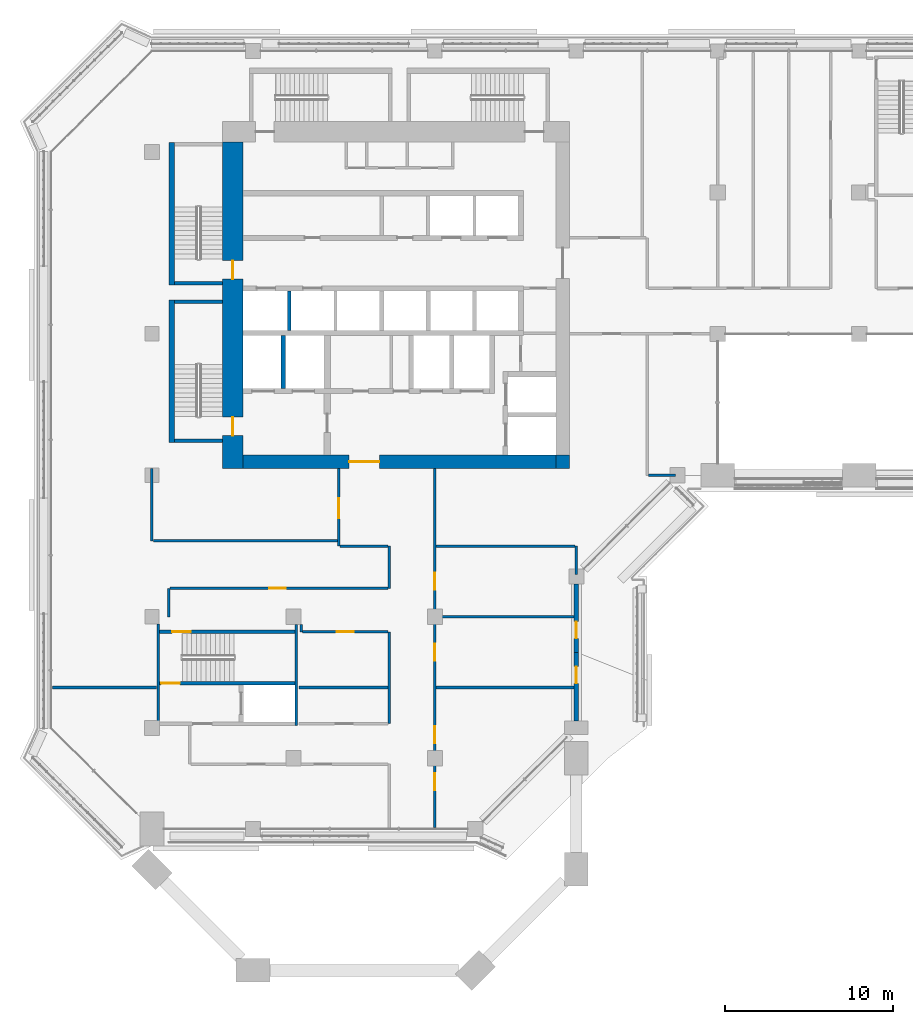
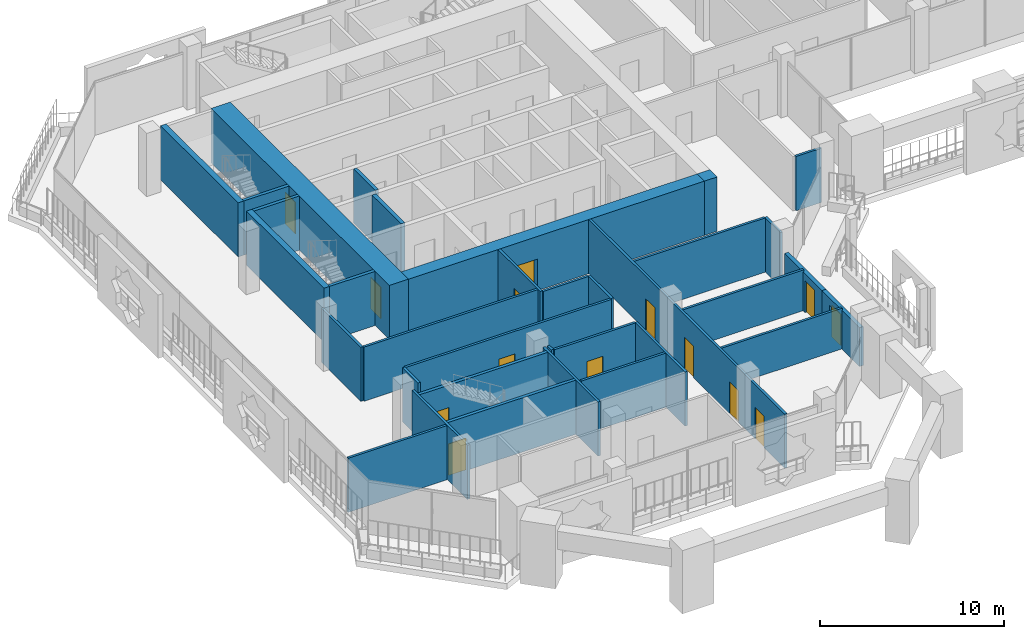
# One storey, part 12 of 23: 34 walls, 14 doors, 14 openings.
"""IFC4 building model written with IfcOpenShell, lengths in metres."""

from ifc_helpers import new_model, si_unit, direction, frame, frame_2d, origin, place, context, subcontext, project, spatial, rectangle, extrude, material, layer, layer_set, type_object, element, fill, save


model = new_model("IFC4")

# Units and contexts
model_context = context("Model", 3, precision=1e-05, world=origin(), true_north=direction((0.0, 1.0)))
body_context = subcontext(model_context, "Body", "Model", "MODEL_VIEW")
ifc_project = project(units=[si_unit("LENGTHUNIT", "METRE"), si_unit("AREAUNIT", "SQUARE_METRE"), si_unit("VOLUMEUNIT", "CUBIC_METRE"), si_unit("PLANEANGLEUNIT", "RADIAN"), si_unit("MASSUNIT", "GRAM", prefix="KILO")], contexts=[model_context])

# Site, building, storey
site_placement = place(None, origin())
site = spatial("IfcSite", under=ifc_project, at=site_placement, CompositionType="ELEMENT")
building_placement = place(site_placement, origin())
building = spatial("IfcBuilding", under=site, at=building_placement, Name="Kawkab Arch Medical Tower", CompositionType="ELEMENT")
storey_placement = place(building_placement, frame((0.0, 0.0, 222.199951171875)))
storey = spatial("IfcBuildingStorey", under=building, at=storey_placement, Name="L51", CompositionType="ELEMENT", Elevation=222.199951171875)

# Wall, openings, doors
ifc_material_1 = material(Name="Concrete C50/60", Category="concrete")
ifc_layer_1 = layer(ifc_material_1, 1.199951171875)
ifc_layer_set_1 = layer_set([ifc_layer_1], Name="Concrete C50/60")
wall_type_1 = type_object("IfcWallType", Name="Core ring wall 1200 C50/60", PredefinedType="SHEAR", material=ifc_layer_set_1)
wall_1_placement = place(storey_placement, frame((4.800048828125, -24.800048828125, 0.0), z_axis=(0.0, 0.0, 1.0), x_axis=(0.0, 1.0, 0.0)))
wall_1 = element("IfcWall", 1, at=wall_1_placement, inside=storey, type_object=wall_type_1, Name="L51 core wall", PredefinedType="SHEAR", context=body_context, shape_type="SweptSolid", body=[
    extrude(rectangle(XDim=19.400146484375, YDim=1.199951171875, at=frame_2d((9.7001953125, 0.0))), origin(), (0.0, 0.0, 1.0), 3.60009765625),
])
opening_1_placement = place(wall_1_placement, frame((11.25, 0.0, 0.0)))
opening_1 = element("IfcOpeningElement", 2, at=opening_1_placement, cuts=wall_1, Name="Opening SD", PredefinedType="OPENING", context=body_context, shape_type="SweptSolid", body=[
    extrude(rectangle(XDim=1.10009765625, YDim=2.10009765625, at=frame_2d((0.550048828125, 1.050048828125))), frame((0.0, 0.60986328125, 0.0), z_axis=(0.0, -1.0, 0.0), x_axis=(1.0, 0.0, 0.0)), (0.0, 0.0, 1.0), 1.219970703125),
])
opening_2_placement = place(wall_1_placement, frame((1.949951171875, 0.0, 0.0)))
opening_2 = element("IfcOpeningElement", 3, at=opening_2_placement, cuts=wall_1, Name="Opening SD", PredefinedType="OPENING", context=body_context, shape_type="SweptSolid", body=[
    extrude(rectangle(XDim=1.10009765625, YDim=2.10009765625, at=frame_2d((0.550048828125, 1.050048828125))), frame((0.0, 0.60986328125, 0.0), z_axis=(0.0, -1.0, 0.0), x_axis=(1.0, 0.0, 0.0)), (0.0, 0.0, 1.0), 1.219970703125),
])
ifc_material_2 = material(Name="Hollow metal fire door leaf")
door_type_1 = type_object("IfcDoorType", Name="Exit stair door 1100", OperationType="SINGLE_SWING_LEFT", PredefinedType="DOOR", material=ifc_material_2)
door_1_placement = place(opening_1_placement, origin())
door_1 = element("IfcDoor", 4, at=door_1_placement, inside=storey, type_object=door_type_1, Name="L51 Exit stair ST1 door", OperationType="SINGLE_SWING_LEFT", OverallHeight=2.10009765625, OverallWidth=1.10009765625, PredefinedType="DOOR", context=body_context, shape_type="SweptSolid", body=[
    extrude(rectangle(XDim=1.10009765625, YDim=2.10009765625, at=frame_2d((0.550048828125, 1.050048828125))), frame((0.0, 0.02490234375, 0.0), z_axis=(0.0, -1.0, 0.0), x_axis=(1.0, 0.0, 0.0)), (0.0, 0.0, 1.0), 0.050048828125),
])
fill(opening_1, door_1)
door_2_placement = place(opening_2_placement, origin())
door_2 = element("IfcDoor", 5, at=door_2_placement, inside=storey, type_object=door_type_1, Name="L51 Exit stair ST2 door", OperationType="SINGLE_SWING_LEFT", OverallHeight=2.10009765625, OverallWidth=1.10009765625, PredefinedType="DOOR", context=body_context, shape_type="SweptSolid", body=[
    extrude(rectangle(XDim=1.10009765625, YDim=2.10009765625, at=frame_2d((0.550048828125, 1.050048828125))), frame((0.0, 0.02490234375, 0.0), z_axis=(0.0, -1.0, 0.0), x_axis=(1.0, 0.0, 0.0)), (0.0, 0.0, 1.0), 0.050048828125),
])
fill(opening_2, door_2)

# Wall, opening, door
ifc_material_3 = material(Name="Concrete C50/60", Category="concrete")
ifc_layer_2 = layer(ifc_material_3, 0.800048828125)
ifc_layer_set_2 = layer_set([ifc_layer_2], Name="Concrete C50/60")
wall_type_2 = type_object("IfcWallType", Name="Core ring wall 800 C50/60", PredefinedType="SHEAR", material=ifc_layer_set_2)
wall_2_placement = place(storey_placement, frame((5.39990234375, -24.39990234375, 0.0), z_axis=(0.0, 0.0, 1.0), x_axis=(1.0, 0.0, 0.0)))
wall_2 = element("IfcWall", 6, at=wall_2_placement, inside=storey, type_object=wall_type_2, Name="L51 core wall", PredefinedType="SHEAR", context=body_context, shape_type="SweptSolid", body=[
    extrude(rectangle(XDim=18.60009765625, YDim=0.800048828125, at=frame_2d((9.300048828125, 0.0))), origin(), (0.0, 0.0, 1.0), 3.60009765625),
])
opening_3_placement = place(wall_2_placement, frame((6.300048828125, 0.0, 0.0)))
opening_3 = element("IfcOpeningElement", 7, at=opening_3_placement, cuts=wall_2, Name="Opening PD", PredefinedType="OPENING", context=body_context, shape_type="SweptSolid", body=[
    extrude(rectangle(XDim=1.800048828125, YDim=2.10009765625, at=frame_2d((0.89990234375, 1.050048828125))), frame((0.0, 0.409912109375, 0.0), z_axis=(0.0, -1.0, 0.0), x_axis=(1.0, 0.0, 0.0)), (0.0, 0.0, 1.0), 0.820068359375),
])
ifc_material_4 = material(Name="Hollow metal fire door leaf")
door_type_2 = type_object("IfcDoorType", Name="Core entrance doors 1800", OperationType="DOUBLE_DOOR_SINGLE_SWING", PredefinedType="DOOR", material=ifc_material_4)
door_3_placement = place(opening_3_placement, origin())
door_3 = element("IfcDoor", 8, at=door_3_placement, inside=storey, type_object=door_type_2, Name="L51 South entrance doors", OperationType="DOUBLE_DOOR_SINGLE_SWING", OverallHeight=2.10009765625, OverallWidth=1.800048828125, PredefinedType="DOOR", context=body_context, shape_type="SweptSolid", body=[
    extrude(rectangle(XDim=1.800048828125, YDim=2.10009765625, at=frame_2d((0.89990234375, 1.050048828125))), frame((0.0, 0.02490234375, 0.0), z_axis=(0.0, -1.0, 0.0), x_axis=(1.0, 0.0, 0.0)), (0.0, 0.0, 1.0), 0.050048828125),
])
fill(opening_3, door_3)

# Walls
wall_3_placement = place(storey_placement, frame((24.39990234375, -24.800048828125, 0.0), z_axis=(0.0, 0.0, 1.0), x_axis=(0.0, 1.0, 0.0)))
element("IfcWall", 9, at=wall_3_placement, inside=storey, type_object=wall_type_2, Name="L51 core wall", PredefinedType="SHEAR", context=body_context, shape_type="SweptSolid", body=[
    extrude(rectangle(XDim=0.800048828125, YDim=0.800048828125, at=frame_2d((0.39990234375, 0.0))), origin(), (0.0, 0.0, 1.0), 3.60009765625),
])
ifc_material_5 = material(Name="Concrete C60/75", Category="concrete")
ifc_layer_3 = layer(ifc_material_5, 0.25)
ifc_layer_set_3 = layer_set([ifc_layer_3], Name="Concrete C60/75")
wall_type_3 = type_object("IfcWallType", Name="Core shear wall 250 C60/75", PredefinedType="SHEAR", material=ifc_layer_set_3)
wall_4_placement = place(storey_placement, frame((7.800048828125, -20.050048828125, 0.0), z_axis=(0.0, 0.0, 1.0), x_axis=(0.0, 1.0, 0.0)))
element("IfcWall", 10, at=wall_4_placement, inside=storey, type_object=wall_type_3, Name="L51 core shear wall", PredefinedType="SHEAR", context=body_context, shape_type="SweptSolid", body=[
    extrude(rectangle(XDim=3.150146484375, YDim=0.25, at=frame_2d((1.5751953125, 0.0))), origin(), (0.0, 0.0, 1.0), 3.60009765625),
])

# Wall, opening, door
ifc_material_6 = material(Name="Bronze clad insulated wall panel")
ifc_layer_4 = layer(ifc_material_6, 0.25)
ifc_layer_set_4 = layer_set([ifc_layer_4], Name="Bronze clad insulated wall panel")
wall_type_4 = type_object("IfcWallType", Name="External wall bay 250", PredefinedType="SOLIDWALL", material=ifc_layer_set_4)
wall_5_placement = place(storey_placement, frame((25.199951171875, -39.800048828125, 0.0), z_axis=(0.0, 0.0, 1.0), x_axis=(0.0, 1.0, 0.0)))
wall_5 = element("IfcWall", 11, at=wall_5_placement, inside=storey, type_object=wall_type_4, Name="External wall bay L51.R15.1.1", PredefinedType="SOLIDWALL", context=body_context, shape_type="SweptSolid", body=[
    extrude(rectangle(XDim=4.074951171875, YDim=0.25, at=frame_2d((2.03759765625, 0.0))), origin(), (0.0, 0.0, 1.0), 2.580078125),
])
opening_4_placement = place(wall_5_placement, frame((2.237548828125, 0.0, 0.0)))
opening_4 = element("IfcOpeningElement", 12, at=opening_4_placement, cuts=wall_5, Name="Opening B51-701", PredefinedType="OPENING", context=body_context, shape_type="SweptSolid", body=[
    extrude(rectangle(XDim=1.0, YDim=2.10009765625, at=frame_2d((0.5, 1.050048828125))), frame((0.0, 0.135009765625, 0.0), z_axis=(0.0, -1.0, 0.0), x_axis=(1.0, 0.0, 0.0)), (0.0, 0.0, 1.0), 0.27001953125),
])
ifc_material_7 = material(Name="Bronze anodised aluminium door with tinted glass", Category="aluminium")
door_type_3 = type_object("IfcDoorType", Name="Single external door 1000 x 2100", OperationType="SINGLE_SWING_LEFT", PredefinedType="DOOR", material=ifc_material_7)
door_4_placement = place(opening_4_placement, origin())
door_4 = element("IfcDoor", 13, at=door_4_placement, inside=storey, type_object=door_type_3, Name="External door L51.R15.1.1", OperationType="SINGLE_SWING_LEFT", OverallHeight=2.10009765625, OverallWidth=1.0, PredefinedType="DOOR", context=body_context, shape_type="SweptSolid", body=[
    extrude(rectangle(XDim=1.0, YDim=2.10009765625, at=frame_2d((0.5, 1.050048828125))), frame((0.0, 0.02490234375, 0.0), z_axis=(0.0, -1.0, 0.0), x_axis=(1.0, 0.0, 0.0)), (0.0, 0.0, 1.0), 0.050048828125),
])
fill(opening_4, door_4)

wall_6_placement = place(storey_placement, frame((25.199951171875, -35.72509765625, 0.0), z_axis=(0.0, 0.0, 1.0), x_axis=(0.0, 1.0, 0.0)))
wall_6 = element("IfcWall", 14, at=wall_6_placement, inside=storey, type_object=wall_type_4, Name="External wall bay L51.R15.1.2", PredefinedType="SOLIDWALL", context=body_context, shape_type="SweptSolid", body=[
    extrude(rectangle(XDim=4.0751953125, YDim=0.25, at=frame_2d((2.03759765625, 0.0))), origin(), (0.0, 0.0, 1.0), 2.580078125),
])
opening_5_placement = place(wall_6_placement, frame((0.83740234375, 0.0, 0.0)))
opening_5 = element("IfcOpeningElement", 15, at=opening_5_placement, cuts=wall_6, Name="Opening B51-701", PredefinedType="OPENING", context=body_context, shape_type="SweptSolid", body=[
    extrude(rectangle(XDim=1.0, YDim=2.10009765625, at=frame_2d((0.5, 1.050048828125))), frame((0.0, 0.135009765625, 0.0), z_axis=(0.0, -1.0, 0.0), x_axis=(1.0, 0.0, 0.0)), (0.0, 0.0, 1.0), 0.27001953125),
])
door_5_placement = place(opening_5_placement, origin())
door_5 = element("IfcDoor", 16, at=door_5_placement, inside=storey, type_object=door_type_3, Name="External door L51.R15.1.2", OperationType="SINGLE_SWING_LEFT", OverallHeight=2.10009765625, OverallWidth=1.0, PredefinedType="DOOR", context=body_context, shape_type="SweptSolid", body=[
    extrude(rectangle(XDim=1.0, YDim=2.10009765625, at=frame_2d((0.5, 1.050048828125))), frame((0.0, 0.02490234375, 0.0), z_axis=(0.0, -1.0, 0.0), x_axis=(1.0, 0.0, 0.0)), (0.0, 0.0, 1.0), 0.050048828125),
])
fill(opening_5, door_5)

# Walls
ifc_material_8 = material(Name="Dense concrete blockwork", Category="masonry")
ifc_layer_5 = layer(ifc_material_8, 0.199951171875)
ifc_layer_set_5 = layer_set([ifc_layer_5], Name="Dense concrete blockwork")
wall_type_5 = type_object("IfcWallType", Name="Lift shaft partition 200", PredefinedType="PARTITIONING", material=ifc_layer_set_5)
wall_7_placement = place(storey_placement, frame((8.14990234375, -16.60009765625, 0.0), z_axis=(0.0, 0.0, 1.0), x_axis=(0.0, 1.0, 0.0)))
element("IfcWall", 17, at=wall_7_placement, inside=storey, type_object=wall_type_5, Name="L51 lift shaft partition", PredefinedType="PARTITIONING", context=body_context, shape_type="SweptSolid", body=[
    extrude(rectangle(XDim=2.35009765625, YDim=0.199951171875, at=frame_2d((1.175048828125, 0.0))), origin(), (0.0, 0.0, 1.0), 3.60009765625),
])
ifc_material_9 = material(Name="Gypsum board partition on steel studs, mineral wool", Category="steel")
ifc_layer_6 = layer(ifc_material_9, 0.14990234375)
ifc_layer_set_6 = layer_set([ifc_layer_6], Name="Gypsum board partition on steel studs, mineral wool")
wall_type_6 = type_object("IfcWallType", Name="Partition 150", PredefinedType="PARTITIONING", material=ifc_layer_set_6)
wall_8_placement = place(storey_placement, frame((-5.919921875, -37.800048828125, 0.0), z_axis=(0.0, 0.0, 1.0), x_axis=(1.0, 0.0, 0.0)))
element("IfcWall", 18, at=wall_8_placement, inside=storey, type_object=wall_type_6, Name="Partition 150 w003", PredefinedType="PARTITIONING", context=body_context, shape_type="SweptSolid", body=[
    extrude(rectangle(XDim=6.18994140625, YDim=0.14990234375, at=frame_2d((3.094970703125, 0.0))), origin(), (0.0, 0.0, 1.0), 3.60009765625),
])
wall_9_placement = place(storey_placement, frame((8.72998046875, -37.800048828125, 0.0), z_axis=(0.0, 0.0, 1.0), x_axis=(1.0, 0.0, 0.0)))
element("IfcWall", 19, at=wall_9_placement, inside=storey, type_object=wall_type_6, Name="Partition 150 w004", PredefinedType="PARTITIONING", context=body_context, shape_type="SweptSolid", body=[
    extrude(rectangle(XDim=5.294921875, YDim=0.14990234375, at=frame_2d((2.6474609375, 0.0))), origin(), (0.0, 0.0, 1.0), 3.60009765625),
])
wall_10_placement = place(storey_placement, frame((16.875, -37.800048828125, 0.0), z_axis=(0.0, 0.0, 1.0), x_axis=(1.0, 0.0, 0.0)))
element("IfcWall", 20, at=wall_10_placement, inside=storey, type_object=wall_type_6, Name="Partition 150 w005", PredefinedType="PARTITIONING", context=body_context, shape_type="SweptSolid", body=[
    extrude(rectangle(XDim=8.2451171875, YDim=0.14990234375, at=frame_2d((4.12255859375, 0.0))), origin(), (0.0, 0.0, 1.0), 2.699951171875),
])

# Wall, opening, door
wall_11_placement = place(storey_placement, frame((8.925048828125, -34.5, 0.0), z_axis=(0.0, 0.0, 1.0), x_axis=(1.0, 0.0, 0.0)))
wall_11 = element("IfcWall", 21, at=wall_11_placement, inside=storey, type_object=wall_type_6, Name="Partition 150 w006", PredefinedType="PARTITIONING", context=body_context, shape_type="SweptSolid", body=[
    extrude(rectangle(XDim=5.099853515625, YDim=0.14990234375, at=frame_2d((2.5498046875, 0.0))), origin(), (0.0, 0.0, 1.0), 3.60009765625),
])
opening_6_placement = place(wall_11_placement, frame((2.050048828125, 0.0, 0.0)))
opening_6 = element("IfcOpeningElement", 22, at=opening_6_placement, cuts=wall_11, Name="Opening B51-017", PredefinedType="OPENING", context=body_context, shape_type="SweptSolid", body=[
    extrude(rectangle(XDim=1.0, YDim=2.10009765625, at=frame_2d((0.5, 1.050048828125))), frame((0.0, 0.0849609375, 0.0), z_axis=(0.0, -1.0, 0.0), x_axis=(1.0, 0.0, 0.0)), (0.0, 0.0, 1.0), 0.169921875),
])
ifc_material_10 = material(Name="Hollow metal door leaf")
door_type_4 = type_object("IfcDoorType", Name="Single door 1000x2100 FD30S", OperationType="NOTDEFINED", PredefinedType="DOOR", material=ifc_material_10)
door_6_placement = place(opening_6_placement, origin())
door_6 = element("IfcDoor", 23, at=door_6_placement, inside=storey, type_object=door_type_4, Name="Door B51-017", OperationType="SINGLE_SWING_RIGHT", OverallHeight=2.10009765625, OverallWidth=1.0, PredefinedType="DOOR", context=body_context, shape_type="SweptSolid", body=[
    extrude(rectangle(XDim=1.0, YDim=2.10009765625, at=frame_2d((0.5, 1.050048828125))), frame((0.0, 0.02490234375, 0.0), z_axis=(0.0, -1.0, 0.0), x_axis=(1.0, 0.0, 0.0)), (0.0, 0.0, 1.0), 0.050048828125),
])
fill(opening_6, door_6)

# Wall
wall_12_placement = place(storey_placement, frame((16.875, -33.60009765625, 0.0), z_axis=(0.0, 0.0, 1.0), x_axis=(1.0, 0.0, 0.0)))
element("IfcWall", 24, at=wall_12_placement, inside=storey, type_object=wall_type_6, Name="Partition 150 w007", PredefinedType="PARTITIONING", context=body_context, shape_type="SweptSolid", body=[
    extrude(rectangle(XDim=8.2451171875, YDim=0.14990234375, at=frame_2d((4.12255859375, 0.0))), origin(), (0.0, 0.0, 1.0), 2.699951171875),
])

# Wall, opening, door
wall_13_placement = place(storey_placement, frame((1.076904296875, -31.906982421875, 0.0), z_axis=(0.0, 0.0, 1.0), x_axis=(1.0, 0.0, 0.0)))
wall_13 = element("IfcWall", 25, at=wall_13_placement, inside=storey, type_object=wall_type_6, Name="Partition 150 w008", PredefinedType="PARTITIONING", context=body_context, shape_type="SweptSolid", body=[
    extrude(rectangle(XDim=12.947998046875, YDim=0.14990234375, at=frame_2d((6.47412109375, 0.0))), origin(), (0.0, 0.0, 1.0), 3.60009765625),
])
opening_7_placement = place(wall_13_placement, frame((5.8740234375, 0.0, 0.0)))
opening_7 = element("IfcOpeningElement", 26, at=opening_7_placement, cuts=wall_13, Name="Opening B51-016", PredefinedType="OPENING", context=body_context, shape_type="SweptSolid", body=[
    extrude(rectangle(XDim=1.0, YDim=2.10009765625, at=frame_2d((0.5, 1.050048828125))), frame((0.0, 0.0849609375, 0.0), z_axis=(0.0, -1.0, 0.0), x_axis=(1.0, 0.0, 0.0)), (0.0, 0.0, 1.0), 0.169921875),
])
door_7_placement = place(opening_7_placement, origin())
door_7 = element("IfcDoor", 27, at=door_7_placement, inside=storey, type_object=door_type_4, Name="Door B51-016", OperationType="SINGLE_SWING_RIGHT", OverallHeight=2.10009765625, OverallWidth=1.0, PredefinedType="DOOR", context=body_context, shape_type="SweptSolid", body=[
    extrude(rectangle(XDim=1.0, YDim=2.10009765625, at=frame_2d((0.5, 1.050048828125))), frame((0.0, 0.02490234375, 0.0), z_axis=(0.0, -1.0, 0.0), x_axis=(1.0, 0.0, 0.0)), (0.0, 0.0, 1.0), 0.050048828125),
])
fill(opening_7, door_7)

# Walls
wall_14_placement = place(storey_placement, frame((11.177978515625, -29.39990234375, 0.0), z_axis=(0.0, 0.0, 1.0), x_axis=(1.0, 0.0, 0.0)))
element("IfcWall", 28, at=wall_14_placement, inside=storey, type_object=wall_type_6, Name="Partition 150 w009", PredefinedType="PARTITIONING", context=body_context, shape_type="SweptSolid", body=[
    extrude(rectangle(XDim=2.846923828125, YDim=0.14990234375, at=frame_2d((1.42333984375, 0.0))), origin(), (0.0, 0.0, 1.0), 3.60009765625),
])
wall_15_placement = place(storey_placement, frame((16.875, -29.39990234375, 0.0), z_axis=(0.0, 0.0, 1.0), x_axis=(1.0, 0.0, 0.0)))
element("IfcWall", 29, at=wall_15_placement, inside=storey, type_object=wall_type_6, Name="Partition 150 w010", PredefinedType="PARTITIONING", context=body_context, shape_type="SweptSolid", body=[
    extrude(rectangle(XDim=8.25, YDim=0.14990234375, at=frame_2d((4.125, 0.0))), origin(), (0.0, 0.0, 1.0), 3.60009765625),
])
wall_16_placement = place(storey_placement, frame((0.076904296875, -29.10009765625, 0.0), z_axis=(0.0, 0.0, 1.0), x_axis=(1.0, 0.0, 0.0)))
element("IfcWall", 30, at=wall_16_placement, inside=storey, type_object=wall_type_6, Name="Partition 150 w011", PredefinedType="PARTITIONING", context=body_context, shape_type="SweptSolid", body=[
    extrude(rectangle(XDim=10.947998046875, YDim=0.14990234375, at=frame_2d((5.47412109375, 0.0))), origin(), (0.0, 0.0, 1.0), 3.60009765625),
])
wall_17_placement = place(storey_placement, frame((29.47509765625, -25.199951171875, 0.0), z_axis=(0.0, 0.0, 1.0), x_axis=(1.0, 0.0, 0.0)))
element("IfcWall", 31, at=wall_17_placement, inside=storey, type_object=wall_type_6, Name="Partition 150 w012", PredefinedType="PARTITIONING", context=body_context, shape_type="SweptSolid", body=[
    extrude(rectangle(XDim=1.61181640625, YDim=0.14990234375, at=frame_2d((0.805908203125, 0.0))), origin(), (0.0, 0.0, 1.0), 3.60009765625),
])
wall_18_placement = place(storey_placement, frame((0.0, -29.096923828125, 0.0), z_axis=(0.0, 0.0, 1.0), x_axis=(0.0, 1.0, 0.0)))
element("IfcWall", 32, at=wall_18_placement, inside=storey, type_object=wall_type_6, Name="Partition 150 w024", PredefinedType="PARTITIONING", context=body_context, shape_type="SweptSolid", body=[
    extrude(rectangle(XDim=4.296875, YDim=0.14990234375, at=frame_2d((2.1484375, 0.0))), origin(), (0.0, 0.0, 1.0), 3.60009765625),
])
wall_19_placement = place(storey_placement, frame((1.0, -33.60009765625, 0.0), z_axis=(0.0, 0.0, 1.0), x_axis=(0.0, 1.0, 0.0)))
element("IfcWall", 33, at=wall_19_placement, inside=storey, type_object=wall_type_6, Name="Partition 150 w025", PredefinedType="PARTITIONING", context=body_context, shape_type="SweptSolid", body=[
    extrude(rectangle(XDim=1.690185546875, YDim=0.14990234375, at=frame_2d((0.84521484375, 0.0))), origin(), (0.0, 0.0, 1.0), 3.60009765625),
])
wall_20_placement = place(storey_placement, frame((8.85009765625, -34.5, 0.0), z_axis=(0.0, 0.0, 1.0), x_axis=(0.0, 1.0, 0.0)))
element("IfcWall", 34, at=wall_20_placement, inside=storey, type_object=wall_type_6, Name="Partition 150 w027", PredefinedType="PARTITIONING", context=body_context, shape_type="SweptSolid", body=[
    extrude(rectangle(XDim=0.448974609375, YDim=0.14990234375, at=frame_2d((0.224609375, 0.0))), origin(), (0.0, 0.0, 1.0), 3.60009765625),
])

# Wall, opening, door
wall_21_placement = place(storey_placement, frame((11.10009765625, -29.39697265625, 0.0), z_axis=(0.0, 0.0, 1.0), x_axis=(0.0, 1.0, 0.0)))
wall_21 = element("IfcWall", 35, at=wall_21_placement, inside=storey, type_object=wall_type_6, Name="Partition 150 w028", PredefinedType="PARTITIONING", context=body_context, shape_type="SweptSolid", body=[
    extrude(rectangle(XDim=4.596923828125, YDim=0.14990234375, at=frame_2d((2.29833984375, 0.0))), origin(), (0.0, 0.0, 1.0), 3.60009765625),
])
opening_8_placement = place(wall_21_placement, frame((1.64697265625, 0.0, 0.0)))
opening_8 = element("IfcOpeningElement", 36, at=opening_8_placement, cuts=wall_21, Name="Opening B51-028", PredefinedType="OPENING", context=body_context, shape_type="SweptSolid", body=[
    extrude(rectangle(XDim=1.199951171875, YDim=2.10009765625, at=frame_2d((0.60009765625, 1.050048828125))), frame((0.0, 0.0849609375, 0.0), z_axis=(0.0, -1.0, 0.0), x_axis=(1.0, 0.0, 0.0)), (0.0, 0.0, 1.0), 0.169921875),
])
ifc_material_11 = material(Name="Hollow metal door leaf")
door_type_5 = type_object("IfcDoorType", Name="Single door 1200x2100 FD30S", OperationType="NOTDEFINED", PredefinedType="DOOR", material=ifc_material_11)
door_8_placement = place(opening_8_placement, origin())
door_8 = element("IfcDoor", 37, at=door_8_placement, inside=storey, type_object=door_type_5, Name="Door B51-028", OperationType="SINGLE_SWING_LEFT", OverallHeight=2.10009765625, OverallWidth=1.199951171875, PredefinedType="DOOR", context=body_context, shape_type="SweptSolid", body=[
    extrude(rectangle(XDim=1.199951171875, YDim=2.10009765625, at=frame_2d((0.60009765625, 1.050048828125))), frame((0.0, 0.02490234375, 0.0), z_axis=(0.0, -1.0, 0.0), x_axis=(1.0, 0.0, 0.0)), (0.0, 0.0, 1.0), 0.050048828125),
])
fill(opening_8, door_8)

# Walls
wall_22_placement = place(storey_placement, frame((14.10009765625, -39.949951171875, 0.0), z_axis=(0.0, 0.0, 1.0), x_axis=(0.0, 1.0, 0.0)))
element("IfcWall", 38, at=wall_22_placement, inside=storey, type_object=wall_type_6, Name="Partition 150 w030", PredefinedType="PARTITIONING", context=body_context, shape_type="SweptSolid", body=[
    extrude(rectangle(XDim=5.449951171875, YDim=0.14990234375, at=frame_2d((2.72509765625, 0.0))), origin(), (0.0, 0.0, 1.0), 3.60009765625),
])
wall_23_placement = place(storey_placement, frame((14.10009765625, -31.906982421875, 0.0), z_axis=(0.0, 0.0, 1.0), x_axis=(0.0, 1.0, 0.0)))
element("IfcWall", 39, at=wall_23_placement, inside=storey, type_object=wall_type_6, Name="Partition 150 w031", PredefinedType="PARTITIONING", context=body_context, shape_type="SweptSolid", body=[
    extrude(rectangle(XDim=2.507080078125, YDim=0.14990234375, at=frame_2d((1.25341796875, 0.0))), origin(), (0.0, 0.0, 1.0), 3.60009765625),
])

# Wall, openings, doors
wall_24_placement = place(storey_placement, frame((16.800048828125, -46.1201171875, 0.0), z_axis=(0.0, 0.0, 1.0), x_axis=(0.0, 1.0, 0.0)))
wall_24 = element("IfcWall", 40, at=wall_24_placement, inside=storey, type_object=wall_type_6, Name="Partition 150 w032", PredefinedType="PARTITIONING", context=body_context, shape_type="SweptSolid", body=[
    extrude(rectangle(XDim=21.320068359375, YDim=0.14990234375, at=frame_2d((10.66015625, 0.0))), origin(), (0.0, 0.0, 1.0), 3.60009765625),
])
opening_9_placement = place(wall_24_placement, frame((14.1201171875, 0.0, 0.0)))
opening_9 = element("IfcOpeningElement", 41, at=opening_9_placement, cuts=wall_24, Name="Opening B51-020", PredefinedType="OPENING", context=body_context, shape_type="SweptSolid", body=[
    extrude(rectangle(XDim=1.0, YDim=2.10009765625, at=frame_2d((0.5, 1.050048828125))), frame((0.0, 0.0849609375, 0.0), z_axis=(0.0, -1.0, 0.0), x_axis=(1.0, 0.0, 0.0)), (0.0, 0.0, 1.0), 0.169921875),
])
opening_10_placement = place(wall_24_placement, frame((9.919921875, 0.0, 0.0)))
opening_10 = element("IfcOpeningElement", 42, at=opening_10_placement, cuts=wall_24, Name="Opening B51-021", PredefinedType="OPENING", context=body_context, shape_type="SweptSolid", body=[
    extrude(rectangle(XDim=1.0, YDim=2.10009765625, at=frame_2d((0.5, 1.050048828125))), frame((0.0, 0.0849609375, 0.0), z_axis=(0.0, -1.0, 0.0), x_axis=(1.0, 0.0, 0.0)), (0.0, 0.0, 1.0), 0.169921875),
])
opening_11_placement = place(wall_24_placement, frame((5.02001953125, 0.0, 0.0)))
opening_11 = element("IfcOpeningElement", 43, at=opening_11_placement, cuts=wall_24, Name="Opening B51-022", PredefinedType="OPENING", context=body_context, shape_type="SweptSolid", body=[
    extrude(rectangle(XDim=1.0, YDim=2.10009765625, at=frame_2d((0.5, 1.050048828125))), frame((0.0, 0.0849609375, 0.0), z_axis=(0.0, -1.0, 0.0), x_axis=(1.0, 0.0, 0.0)), (0.0, 0.0, 1.0), 0.169921875),
])
opening_12_placement = place(wall_24_placement, frame((2.219970703125, 0.0, 0.0)))
opening_12 = element("IfcOpeningElement", 44, at=opening_12_placement, cuts=wall_24, Name="Opening B51-023", PredefinedType="OPENING", context=body_context, shape_type="SweptSolid", body=[
    extrude(rectangle(XDim=1.0, YDim=2.10009765625, at=frame_2d((0.5, 1.050048828125))), frame((0.0, 0.0849609375, 0.0), z_axis=(0.0, -1.0, 0.0), x_axis=(1.0, 0.0, 0.0)), (0.0, 0.0, 1.0), 0.169921875),
])
door_9_placement = place(opening_9_placement, origin())
door_9 = element("IfcDoor", 45, at=door_9_placement, inside=storey, type_object=door_type_4, Name="Door B51-020", OperationType="SINGLE_SWING_LEFT", OverallHeight=2.10009765625, OverallWidth=1.0, PredefinedType="DOOR", context=body_context, shape_type="SweptSolid", body=[
    extrude(rectangle(XDim=1.0, YDim=2.10009765625, at=frame_2d((0.5, 1.050048828125))), frame((0.0, 0.02490234375, 0.0), z_axis=(0.0, -1.0, 0.0), x_axis=(1.0, 0.0, 0.0)), (0.0, 0.0, 1.0), 0.050048828125),
])
fill(opening_9, door_9)
door_10_placement = place(opening_10_placement, origin())
door_10 = element("IfcDoor", 46, at=door_10_placement, inside=storey, type_object=door_type_4, Name="Door B51-021", OperationType="SINGLE_SWING_RIGHT", OverallHeight=2.10009765625, OverallWidth=1.0, PredefinedType="DOOR", context=body_context, shape_type="SweptSolid", body=[
    extrude(rectangle(XDim=1.0, YDim=2.10009765625, at=frame_2d((0.5, 1.050048828125))), frame((0.0, 0.02490234375, 0.0), z_axis=(0.0, -1.0, 0.0), x_axis=(1.0, 0.0, 0.0)), (0.0, 0.0, 1.0), 0.050048828125),
])
fill(opening_10, door_10)
door_11_placement = place(opening_11_placement, origin())
door_11 = element("IfcDoor", 47, at=door_11_placement, inside=storey, type_object=door_type_4, Name="Door B51-022", OperationType="SINGLE_SWING_RIGHT", OverallHeight=2.10009765625, OverallWidth=1.0, PredefinedType="DOOR", context=body_context, shape_type="SweptSolid", body=[
    extrude(rectangle(XDim=1.0, YDim=2.10009765625, at=frame_2d((0.5, 1.050048828125))), frame((0.0, 0.02490234375, 0.0), z_axis=(0.0, -1.0, 0.0), x_axis=(1.0, 0.0, 0.0)), (0.0, 0.0, 1.0), 0.050048828125),
])
fill(opening_11, door_11)
door_12_placement = place(opening_12_placement, origin())
door_12 = element("IfcDoor", 48, at=door_12_placement, inside=storey, type_object=door_type_4, Name="Door B51-023", OperationType="SINGLE_SWING_RIGHT", OverallHeight=2.10009765625, OverallWidth=1.0, PredefinedType="DOOR", context=body_context, shape_type="SweptSolid", body=[
    extrude(rectangle(XDim=1.0, YDim=2.10009765625, at=frame_2d((0.5, 1.050048828125))), frame((0.0, 0.02490234375, 0.0), z_axis=(0.0, -1.0, 0.0), x_axis=(1.0, 0.0, 0.0)), (0.0, 0.0, 1.0), 0.050048828125),
])
fill(opening_12, door_12)

# Walls
wall_25_placement = place(storey_placement, frame((25.199951171875, -31.0869140625, 0.0), z_axis=(0.0, 0.0, 1.0), x_axis=(0.0, 1.0, 0.0)))
element("IfcWall", 49, at=wall_25_placement, inside=storey, type_object=wall_type_6, Name="Partition 150 w033", PredefinedType="PARTITIONING", context=body_context, shape_type="SweptSolid", body=[
    extrude(rectangle(XDim=1.68701171875, YDim=0.14990234375, at=frame_2d((0.843505859375, 0.0))), origin(), (0.0, 0.0, 1.0), 3.60009765625),
])
ifc_material_12 = material(Name="Concrete C50/60", Category="concrete")
ifc_layer_7 = layer(ifc_material_12, 0.14990234375)
ifc_layer_set_7 = layer_set([ifc_layer_7], Name="Concrete C50/60")
wall_type_7 = type_object("IfcWallType", Name="Stair enclosure wall 150 C50/60", PredefinedType="SHEAR", material=ifc_layer_set_7)
wall_26_placement = place(storey_placement, frame((0.375, -40.050048828125, 0.0), z_axis=(0.0, 0.0, 1.0), x_axis=(0.0, 1.0, 0.0)))
element("IfcWall", 50, at=wall_26_placement, inside=storey, type_object=wall_type_7, Name="L51 stair enclosure wall", PredefinedType="SHEAR", context=body_context, shape_type="SweptSolid", body=[
    extrude(rectangle(XDim=6.025146484375, YDim=0.14990234375, at=frame_2d((3.0126953125, 0.0))), origin(), (0.0, 0.0, 1.0), 3.60009765625),
])
wall_27_placement = place(storey_placement, frame((8.574951171875, -40.050048828125, 0.0), z_axis=(0.0, 0.0, 1.0), x_axis=(0.0, 1.0, 0.0)))
element("IfcWall", 51, at=wall_27_placement, inside=storey, type_object=wall_type_7, Name="L51 stair enclosure wall", PredefinedType="SHEAR", context=body_context, shape_type="SweptSolid", body=[
    extrude(rectangle(XDim=6.0, YDim=0.14990234375, at=frame_2d((3.0, 0.0))), origin(), (0.0, 0.0, 1.0), 3.60009765625),
])
ifc_material_13 = material(Name="Concrete C50/60", Category="concrete")
ifc_layer_8 = layer(ifc_material_13, 0.199951171875)
ifc_layer_set_8 = layer_set([ifc_layer_8], Name="Concrete C50/60")
wall_type_8 = type_object("IfcWallType", Name="Stair enclosure wall 200 C50/60", PredefinedType="SHEAR", material=ifc_layer_set_8)
for number, where, z_axis, x_axis, name in (
    (52, (1.35009765625, -13.800048828125, 0.0), (0.0, 0.0, 1.0), (1.0, 0.0, 0.0), "L51 stair enclosure wall"),
    (53, (1.35009765625, -14.89990234375, 0.0), (0.0, 0.0, 1.0), (1.0, 0.0, 0.0), "L51 stair enclosure wall"),
    (54, (1.35009765625, -23.14990234375, 0.0), (0.0, 0.0, 1.0), (1.0, 0.0, 0.0), "L51 stair enclosure wall"),
):
    element("IfcWall", number, at=place(storey_placement, frame(where, z_axis=z_axis, x_axis=x_axis)), inside=storey, type_object=wall_type_8, Name=name, PredefinedType="SHEAR", context=body_context, shape_type="SweptSolid", body=[
        extrude(rectangle(XDim=2.849853515625, YDim=0.199951171875, at=frame_2d((1.4248046875, 0.0))), origin(), (0.0, 0.0, 1.0), 3.60009765625),
    ])

# Wall, opening, door
wall_28_placement = place(storey_placement, frame((0.449951171875, -34.5, 0.0), z_axis=(0.0, 0.0, 1.0), x_axis=(1.0, 0.0, 0.0)))
wall_28 = element("IfcWall", 55, at=wall_28_placement, inside=storey, type_object=wall_type_8, Name="L51 stair enclosure wall", PredefinedType="SHEAR", context=body_context, shape_type="SweptSolid", body=[
    extrude(rectangle(XDim=8.050048828125, YDim=0.199951171875, at=frame_2d((4.02490234375, 0.0))), origin(), (0.0, 0.0, 1.0), 3.60009765625),
])
opening_13_placement = place(wall_28_placement, frame((0.75, 0.0, 0.0)))
opening_13 = element("IfcOpeningElement", 56, at=opening_13_placement, cuts=wall_28, Name="Opening SD", PredefinedType="OPENING", context=body_context, shape_type="SweptSolid", body=[
    extrude(rectangle(XDim=1.10009765625, YDim=2.10009765625, at=frame_2d((0.550048828125, 1.050048828125))), frame((0.0, 0.10986328125, 0.0), z_axis=(0.0, -1.0, 0.0), x_axis=(1.0, 0.0, 0.0)), (0.0, 0.0, 1.0), 0.219970703125),
])
door_13_placement = place(opening_13_placement, origin())
door_13 = element("IfcDoor", 57, at=door_13_placement, inside=storey, type_object=door_type_1, Name="L51 Exit stair ST6 door", OperationType="SINGLE_SWING_LEFT", OverallHeight=2.10009765625, OverallWidth=1.10009765625, PredefinedType="DOOR", context=body_context, shape_type="SweptSolid", body=[
    extrude(rectangle(XDim=1.10009765625, YDim=2.10009765625, at=frame_2d((0.550048828125, 1.050048828125))), frame((0.0, 0.02490234375, 0.0), z_axis=(0.0, -1.0, 0.0), x_axis=(1.0, 0.0, 0.0)), (0.0, 0.0, 1.0), 0.050048828125),
])
fill(opening_13, door_13)

wall_29_placement = place(storey_placement, frame((0.449951171875, -37.550048828125, 0.0), z_axis=(0.0, 0.0, 1.0), x_axis=(1.0, 0.0, 0.0)))
wall_29 = element("IfcWall", 58, at=wall_29_placement, inside=storey, type_object=wall_type_8, Name="L51 stair enclosure wall", PredefinedType="SHEAR", context=body_context, shape_type="SweptSolid", body=[
    extrude(rectangle(XDim=8.050048828125, YDim=0.199951171875, at=frame_2d((4.02490234375, 0.0))), origin(), (0.0, 0.0, 1.0), 3.60009765625),
])
opening_14_placement = place(wall_29_placement, frame((0.10009765625, 0.0, 0.0)))
opening_14 = element("IfcOpeningElement", 59, at=opening_14_placement, cuts=wall_29, Name="Opening SD", PredefinedType="OPENING", context=body_context, shape_type="SweptSolid", body=[
    extrude(rectangle(XDim=1.10009765625, YDim=2.10009765625, at=frame_2d((0.550048828125, 1.050048828125))), frame((0.0, 0.10986328125, 0.0), z_axis=(0.0, -1.0, 0.0), x_axis=(1.0, 0.0, 0.0)), (0.0, 0.0, 1.0), 0.219970703125),
])
door_14_placement = place(opening_14_placement, frame((1.10009765625, 0.0, 0.0), z_axis=(0.0, 0.0, 1.0), x_axis=(-1.0, 0.0, 0.0)))
door_14 = element("IfcDoor", 60, at=door_14_placement, inside=storey, type_object=door_type_1, Name="L51 Exit stair ST6 lobby door", OperationType="SINGLE_SWING_LEFT", OverallHeight=2.10009765625, OverallWidth=1.10009765625, PredefinedType="DOOR", context=body_context, shape_type="SweptSolid", body=[
    extrude(rectangle(XDim=1.10009765625, YDim=2.10009765625, at=frame_2d((0.550048828125, 1.050048828125))), frame((0.0, 0.02490234375, 0.0), z_axis=(0.0, -1.0, 0.0), x_axis=(1.0, 0.0, 0.0)), (0.0, 0.0, 1.0), 0.050048828125),
])
fill(opening_14, door_14)

# Walls
ifc_material_14 = material(Name="Concrete C50/60", Category="concrete")
ifc_layer_9 = layer(ifc_material_14, 0.35009765625)
ifc_layer_set_9 = layer_set([ifc_layer_9], Name="Concrete C50/60")
wall_type_9 = type_object("IfcWallType", Name="Stair enclosure wall 350 C50/60", PredefinedType="SHEAR", material=ifc_layer_set_9)
for number, where, z_axis, x_axis, name in (
    (61, (1.175048828125, -13.89990234375, 0.0), (0.0, 0.0, 1.0), (0.0, 1.0, 0.0), "L51 stair enclosure wall"),
    (62, (1.175048828125, -23.25, 0.0), (0.0, 0.0, 1.0), (0.0, 1.0, 0.0), "L51 stair enclosure wall"),
):
    element("IfcWall", number, at=place(storey_placement, frame(where, z_axis=z_axis, x_axis=x_axis)), inside=storey, type_object=wall_type_9, Name=name, PredefinedType="SHEAR", context=body_context, shape_type="SweptSolid", body=[
        extrude(rectangle(XDim=8.449951171875, YDim=0.35009765625, at=frame_2d((4.22509765625, 0.0))), origin(), (0.0, 0.0, 1.0), 3.60009765625),
    ])

save(model, "model.ifc")
